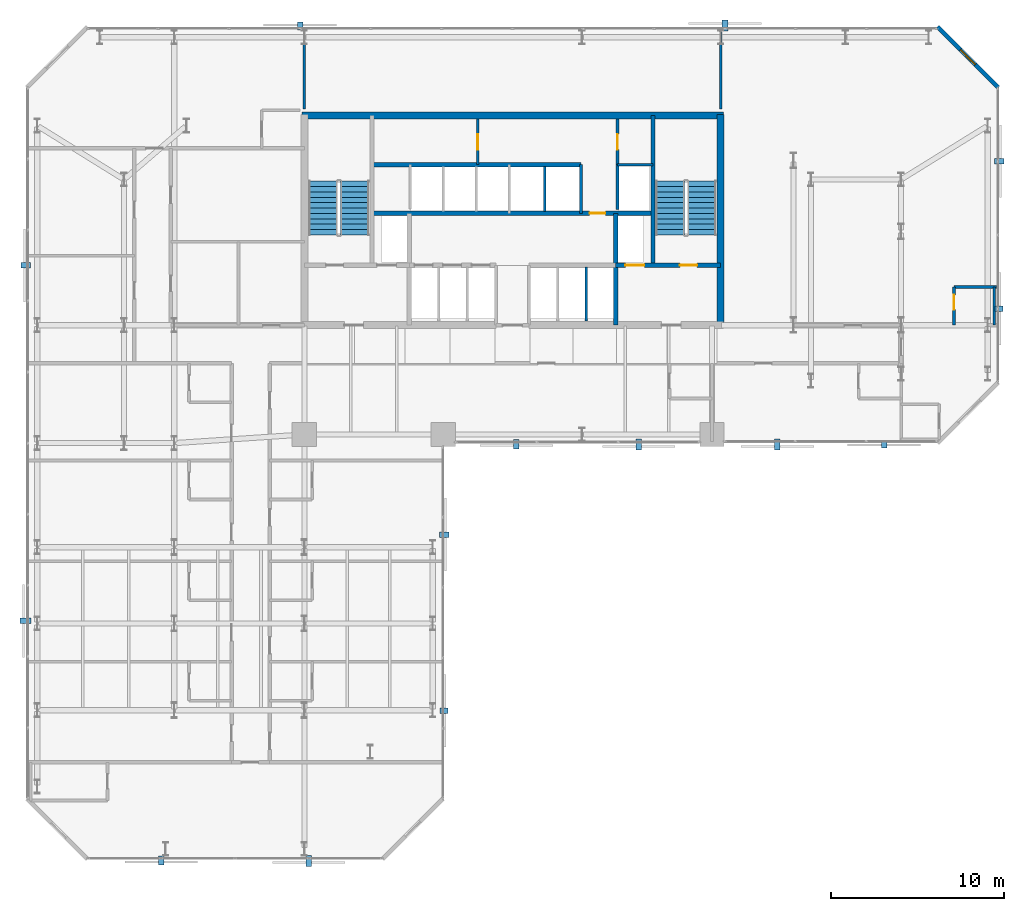
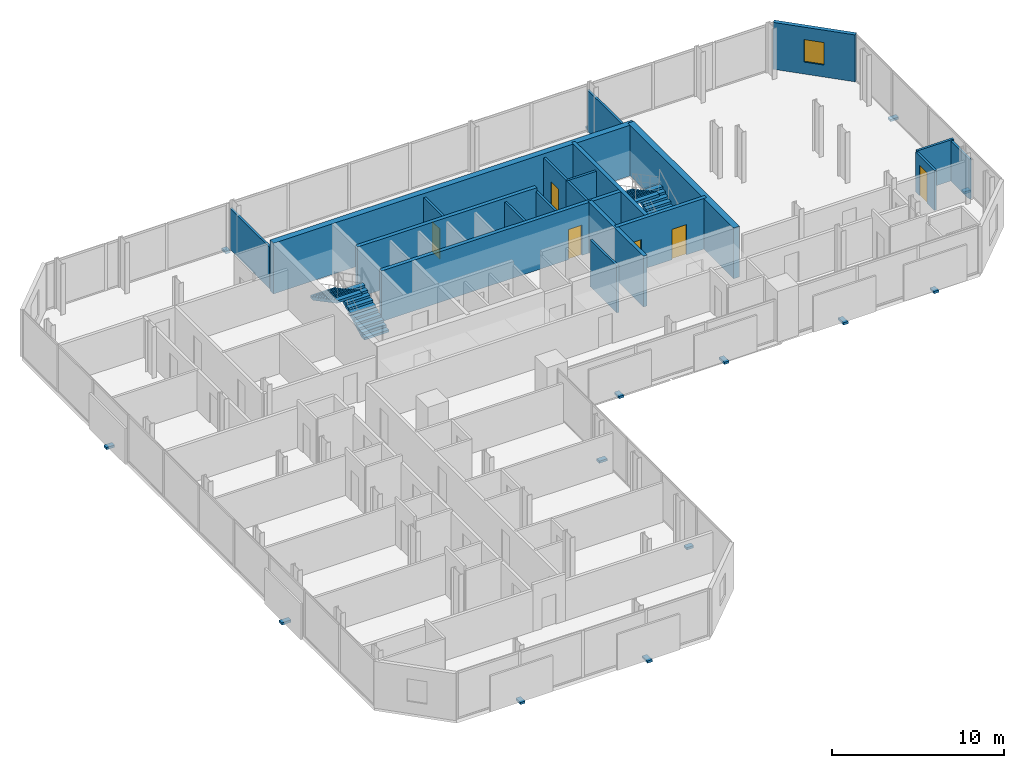
# One storey, part 30 of 32: 20 walls, 14 discrete accessories, 6 doors, 4 stair flights, 1 window, 7 openings, 2 elements without a shape of their own.
"""IFC4 building model written with IfcOpenShell, lengths in metres."""

from ifc_helpers import new_model, si_unit, direction, frame, frame_2d, origin, origin_2d, place, context, subcontext, project, spatial, polyline, rectangle, outline, extrude, material, layer, layer_set, type_object, element, fill, aggregate, save


model = new_model("IFC4")

# Units and contexts
model_context = context("Model", 3, precision=1e-05, world=origin(), true_north=direction((0.0, 1.0)))
body_context = subcontext(model_context, "Body", "Model", "MODEL_VIEW")
ifc_project = project(units=[si_unit("LENGTHUNIT", "METRE"), si_unit("AREAUNIT", "SQUARE_METRE"), si_unit("VOLUMEUNIT", "CUBIC_METRE"), si_unit("PLANEANGLEUNIT", "RADIAN"), si_unit("MASSUNIT", "GRAM", prefix="KILO")], contexts=[model_context])

# Site, building, storey
site_placement = place(None, origin())
site = spatial("IfcSite", under=ifc_project, at=site_placement, CompositionType="ELEMENT")
building_placement = place(site_placement, origin())
building = spatial("IfcBuilding", under=site, at=building_placement, Name="Catumbela Crestline Tower", CompositionType="ELEMENT")
storey_placement = place(building_placement, frame((0.0, 0.0, 69.0)))
storey = spatial("IfcBuildingStorey", under=building, at=storey_placement, Name="L17", CompositionType="ELEMENT", Elevation=69.0)

# Walls
ifc_material_1 = material(Name="Concrete C50/60", Category="concrete")
ifc_layer_1 = layer(ifc_material_1, 0.25, Name="Concrete C50/60")
ifc_layer_set_1 = layer_set([ifc_layer_1], Name="Concrete C50/60")
wall_type_1 = type_object("IfcWallType", Name="CW-250D", PredefinedType="SHEAR", material=ifc_layer_set_1)
wall_1_placement = place(storey_placement, frame((36.1, 34.25, 0.0), z_axis=(0.0, 0.0, 1.0), x_axis=(0.0, 1.0, 0.0)))
element("IfcWall", 1, at=wall_1_placement, inside=storey, type_object=wall_type_1, Name="L17 Structural Core Shear Wall EWEB", PredefinedType="SHEAR", context=body_context, shape_type="SweptSolid", body=[
    extrude(rectangle(XDim=8.65, YDim=0.25, at=frame_2d((4.325, 0.0))), origin(), (0.0, 0.0, 1.0), 3.6),
])
wall_2_placement = place(storey_placement, frame((33.95, 30.8, 0.0), z_axis=(0.0, 0.0, 1.0), x_axis=(0.0, 1.0, 0.0)))
element("IfcWall", 2, at=wall_2_placement, inside=storey, type_object=wall_type_1, Name="L17 Structural Core Shear Wall FFE", PredefinedType="SHEAR", context=body_context, shape_type="SweptSolid", body=[
    extrude(rectangle(XDim=6.45, YDim=0.25, at=frame_2d((3.225, 0.0))), origin(), (0.0, 0.0, 1.0), 3.6),
])

# Wall, openings, doors
wall_3_placement = place(storey_placement, frame((33.95, 34.25, 0.0), z_axis=(0.0, 0.0, 1.0), x_axis=(1.0, 0.0, 0.0)))
wall_3 = element("IfcWall", 3, at=wall_3_placement, inside=storey, type_object=wall_type_1, Name="L17 Structural Core Shear Wall ST2S", PredefinedType="SHEAR", context=body_context, shape_type="SweptSolid", body=[
    extrude(rectangle(XDim=6.05, YDim=0.25, at=frame_2d((3.025, 0.0))), origin(), (0.0, 0.0, 1.0), 3.6),
])
opening_1_placement = place(wall_3_placement, frame((3.7, 0.0, 0.0)))
opening_1 = element("IfcOpeningElement", 4, at=opening_1_placement, cuts=wall_3, Name="Opening DF9-100", PredefinedType="OPENING", context=body_context, shape_type="SweptSolid", body=[
    extrude(rectangle(XDim=1.0, YDim=2.15, at=frame_2d((0.5, 1.075))), frame((0.0, 0.135, 0.0), z_axis=(0.0, -1.0, 0.0), x_axis=(1.0, 0.0, 0.0)), (0.0, 0.0, 1.0), 0.27),
])
opening_2_placement = place(wall_3_placement, frame((0.55, 0.0, 0.0)))
opening_2 = element("IfcOpeningElement", 5, at=opening_2_placement, cuts=wall_3, Name="Opening LD-110", PredefinedType="OPENING", context=body_context, shape_type="SweptSolid", body=[
    extrude(rectangle(XDim=1.1, YDim=2.15, at=frame_2d((0.55, 1.075))), frame((0.0, 0.135, 0.0), z_axis=(0.0, -1.0, 0.0), x_axis=(1.0, 0.0, 0.0)), (0.0, 0.0, 1.0), 0.27),
])
ifc_material_2 = material(Name="Stainless steel EN 1.4401", Category="steel")
door_type_1 = type_object("IfcDoorType", Name="DF9-100", OperationType="NOTDEFINED", PredefinedType="DOOR", material=ifc_material_2)
door_1_placement = place(opening_1_placement, origin())
door_1 = element("IfcDoor", 6, at=door_1_placement, inside=storey, type_object=door_type_1, Name="L17 Interior Door DR-L17-ST02", OperationType="SINGLE_SWING_RIGHT", OverallHeight=2.15, OverallWidth=1.0, PredefinedType="DOOR", context=body_context, shape_type="SweptSolid", body=[
    extrude(rectangle(XDim=1.0, YDim=2.15, at=frame_2d((0.5, 1.075))), frame((0.0, 0.025, 0.0), z_axis=(0.0, -1.0, 0.0), x_axis=(1.0, 0.0, 0.0)), (0.0, 0.0, 1.0), 0.05),
])
fill(opening_1, door_1)
door_type_2 = type_object("IfcDoorType", Name="LD-110", OperationType="NOTDEFINED", PredefinedType="DOOR", material=ifc_material_2)
door_2_placement = place(opening_2_placement, origin())
door_2 = element("IfcDoor", 7, at=door_2_placement, inside=storey, type_object=door_type_2, Name="L17 Lift Landing Sliding Door FL-02", OperationType="DOUBLE_DOOR_SLIDING", OverallHeight=2.15, OverallWidth=1.1, PredefinedType="DOOR", context=body_context, shape_type="SweptSolid", body=[
    extrude(rectangle(XDim=1.1, YDim=2.15, at=frame_2d((0.55, 1.075))), frame((0.0, 0.025, 0.0), z_axis=(0.0, -1.0, 0.0), x_axis=(1.0, 0.0, 0.0)), (0.0, 0.0, 1.0), 0.05),
])
fill(opening_2, door_2)

# Wall, opening, door
wall_4_placement = place(storey_placement, frame((19.9, 37.25, 0.0), z_axis=(0.0, 0.0, 1.0), x_axis=(1.0, 0.0, 0.0)))
wall_4 = element("IfcWall", 8, at=wall_4_placement, inside=storey, type_object=wall_type_1, Name="L17 Structural Core Shear Wall LIFTN", PredefinedType="SHEAR", context=body_context, shape_type="SweptSolid", body=[
    extrude(rectangle(XDim=16.2, YDim=0.25, at=frame_2d((8.1, 0.0))), origin(), (0.0, 0.0, 1.0), 3.6),
])
opening_3_placement = place(wall_4_placement, frame((12.55, 0.0, 0.0)))
opening_3 = element("IfcOpeningElement", 9, at=opening_3_placement, cuts=wall_4, Name="Opening DF9-090", PredefinedType="OPENING", context=body_context, shape_type="SweptSolid", body=[
    extrude(rectangle(XDim=0.9, YDim=2.15, at=frame_2d((0.45, 1.075))), frame((0.0, 0.135, 0.0), z_axis=(0.0, -1.0, 0.0), x_axis=(1.0, 0.0, 0.0)), (0.0, 0.0, 1.0), 0.27),
])
door_type_3 = type_object("IfcDoorType", Name="DF9-090", OperationType="NOTDEFINED", PredefinedType="DOOR", material=ifc_material_2)
door_3_placement = place(opening_3_placement, origin())
door_3 = element("IfcDoor", 10, at=door_3_placement, inside=storey, type_object=door_type_3, Name="L17 Interior Door DR-L17-CPAS1", OperationType="SINGLE_SWING_LEFT", OverallHeight=2.15, OverallWidth=0.9, PredefinedType="DOOR", context=body_context, shape_type="SweptSolid", body=[
    extrude(rectangle(XDim=0.9, YDim=2.15, at=frame_2d((0.45, 1.075))), frame((0.0, 0.025, 0.0), z_axis=(0.0, -1.0, 0.0), x_axis=(1.0, 0.0, 0.0)), (0.0, 0.0, 1.0), 0.05),
])
fill(opening_3, door_3)

# Walls
wall_5_placement = place(storey_placement, frame((19.9, 40.05, 0.0), z_axis=(0.0, 0.0, 1.0), x_axis=(1.0, 0.0, 0.0)))
element("IfcWall", 11, at=wall_5_placement, inside=storey, type_object=wall_type_1, Name="L17 Structural Core Shear Wall COREN", PredefinedType="SHEAR", context=body_context, shape_type="SweptSolid", body=[
    extrude(rectangle(XDim=12.05, YDim=0.25, at=frame_2d((6.025, 0.0))), origin(), (0.0, 0.0, 1.0), 3.6),
])
ifc_material_3 = material(Name="Concrete C60/75", Category="concrete")
ifc_layer_2 = layer(ifc_material_3, 0.4, Name="Concrete C60/75")
ifc_layer_set_2 = layer_set([ifc_layer_2], Name="Concrete C60/75")
wall_type_2 = type_object("IfcWallType", Name="CW-400A", PredefinedType="SHEAR", material=ifc_layer_set_2)
wall_6_placement = place(storey_placement, frame((40.0, 30.65, 0.0), z_axis=(0.0, 0.0, 1.0), x_axis=(0.0, 1.0, 0.0)))
element("IfcWall", 12, at=wall_6_placement, inside=storey, type_object=wall_type_2, Name="L17 Structural Core Shear Wall E", PredefinedType="SHEAR", context=body_context, shape_type="SweptSolid", body=[
    extrude(rectangle(XDim=12.3, YDim=0.4, at=frame_2d((6.15, 0.0))), origin(), (0.0, 0.0, 1.0), 3.6),
])
wall_7_placement = place(storey_placement, frame((15.85, 42.9, 0.0), z_axis=(0.0, 0.0, 1.0), x_axis=(1.0, 0.0, 0.0)))
element("IfcWall", 13, at=wall_7_placement, inside=storey, type_object=wall_type_2, Name="L17 Structural Core Shear Wall N", PredefinedType="SHEAR", context=body_context, shape_type="SweptSolid", body=[
    extrude(rectangle(XDim=24.3, YDim=0.4, at=frame_2d((12.15, 0.0))), origin(), (0.0, 0.0, 1.0), 3.6),
])

# Wall, opening, window
ifc_material_4 = material(Name="Angolan grey-ochre granite", Category="masonry")
ifc_layer_3 = layer(ifc_material_4, 0.25, Name="Angolan grey-ochre granite")
ifc_layer_set_3 = layer_set([ifc_layer_3], Name="Angolan grey-ochre granite")
wall_type_3 = type_object("IfcWallType", Name="WE-250", PredefinedType="STANDARD", material=ifc_layer_set_3)
wall_8_placement = place(storey_placement, frame((56.0, 44.5, 0.0), z_axis=(0.0, 0.0, 1.0), x_axis=(-0.707106781187, 0.707106781187, 0.0)))
wall_8 = element("IfcWall", 14, at=wall_8_placement, inside=storey, type_object=wall_type_3, Name="L17 Granite Punched Window Wall 6-1", PredefinedType="STANDARD", context=body_context, shape_type="SweptSolid", body=[
    extrude(rectangle(XDim=4.9497, YDim=0.25, at=frame_2d((2.4748, 0.0))), origin(), (0.0, 0.0, 1.0), 3.33),
])
opening_4_placement = place(wall_8_placement, frame((1.8748, 0.0, 0.85)))
opening_4 = element("IfcOpeningElement", 15, at=opening_4_placement, cuts=wall_8, Name="Opening WN-02", PredefinedType="OPENING", context=body_context, shape_type="SweptSolid", body=[
    extrude(rectangle(XDim=1.2, YDim=1.6, at=frame_2d((0.6, 0.8))), frame((0.0, 0.135, 0.0), z_axis=(0.0, -1.0, 0.0), x_axis=(1.0, 0.0, 0.0)), (0.0, 0.0, 1.0), 0.27),
])
ifc_material_5 = material(Name="Low-E laminated solar-control double glazing", Category="glass")
window_type = type_object("IfcWindowType", Name="WO-1200", PartitioningType="SINGLE_PANEL", PredefinedType="WINDOW", material=ifc_material_5)
window_placement = place(opening_4_placement, origin())
window = element("IfcWindow", 16, at=window_placement, inside=storey, type_object=window_type, Name="L17 Facade Vision Window 110", OverallHeight=1.6, OverallWidth=1.2, PartitioningType="SINGLE_PANEL", PredefinedType="WINDOW", context=body_context, shape_type="SweptSolid", body=[
    extrude(rectangle(XDim=1.2, YDim=1.6, at=frame_2d((0.6, 0.8))), frame((0.0, 0.03, 0.0), z_axis=(0.0, -1.0, 0.0), x_axis=(1.0, 0.0, 0.0)), (0.0, 0.0, 1.0), 0.06),
])
fill(opening_4, window)

# Wall
ifc_material_6 = material(Name="Acoustic gypsum and mineral-wool partition")
ifc_layer_4 = layer(ifc_material_6, 0.15, Name="Acoustic gypsum and mineral-wool partition")
ifc_layer_set_4 = layer_set([ifc_layer_4], Name="Acoustic gypsum and mineral-wool partition")
wall_type_4 = type_object("IfcWallType", Name="WP-150", PredefinedType="PARTITIONING", material=ifc_layer_set_4)
wall_9_placement = place(storey_placement, frame((34.05, 40.05, 0.0), z_axis=(0.0, 0.0, 1.0), x_axis=(1.0, 0.0, 0.0)))
element("IfcWall", 17, at=wall_9_placement, inside=storey, type_object=wall_type_4, Name="L17 Interior Partition PW-L17-CR-ES", PredefinedType="PARTITIONING", context=body_context, shape_type="SweptSolid", body=[
    extrude(rectangle(XDim=2.05, YDim=0.15, at=frame_2d((1.025, 0.0))), origin(), (0.0, 0.0, 1.0), 3.33),
])

# Wall, opening, door
wall_10_placement = place(storey_placement, frame((34.05, 40.05, 0.0), z_axis=(0.0, 0.0, 1.0), x_axis=(0.0, 1.0, 0.0)))
wall_10 = element("IfcWall", 18, at=wall_10_placement, inside=storey, type_object=wall_type_4, Name="L17 Interior Partition PW-L17-CR-EW", PredefinedType="PARTITIONING", context=body_context, shape_type="SweptSolid", body=[
    extrude(rectangle(XDim=2.63, YDim=0.15, at=frame_2d((1.315, 0.0))), origin(), (0.0, 0.0, 1.0), 3.33),
])
opening_5_placement = place(wall_10_placement, frame((0.865, 0.0, 0.0)))
opening_5 = element("IfcOpeningElement", 19, at=opening_5_placement, cuts=wall_10, Name="Opening DF9-090", PredefinedType="OPENING", context=body_context, shape_type="SweptSolid", body=[
    extrude(rectangle(XDim=0.9, YDim=2.15, at=frame_2d((0.45, 1.075))), frame((0.0, 0.085, 0.0), z_axis=(0.0, -1.0, 0.0), x_axis=(1.0, 0.0, 0.0)), (0.0, 0.0, 1.0), 0.17),
])
door_4_placement = place(opening_5_placement, origin())
door_4 = element("IfcDoor", 20, at=door_4_placement, inside=storey, type_object=door_type_3, Name="L17 Interior Door DR-L17-CREAST", OperationType="SINGLE_SWING_RIGHT", OverallHeight=2.15, OverallWidth=0.9, PredefinedType="DOOR", context=body_context, shape_type="SweptSolid", body=[
    extrude(rectangle(XDim=0.9, YDim=2.15, at=frame_2d((0.45, 1.075))), frame((0.0, 0.025, 0.0), z_axis=(0.0, -1.0, 0.0), x_axis=(1.0, 0.0, 0.0)), (0.0, 0.0, 1.0), 0.05),
])
fill(opening_5, door_4)

wall_11_placement = place(storey_placement, frame((26.0, 40.05, 0.0), z_axis=(0.0, 0.0, 1.0), x_axis=(0.0, 1.0, 0.0)))
wall_11 = element("IfcWall", 21, at=wall_11_placement, inside=storey, type_object=wall_type_4, Name="L17 Interior Partition PW-L17-CR-WW", PredefinedType="PARTITIONING", context=body_context, shape_type="SweptSolid", body=[
    extrude(rectangle(XDim=2.63, YDim=0.15, at=frame_2d((1.315, 0.0))), origin(), (0.0, 0.0, 1.0), 3.33),
])
opening_6_placement = place(wall_11_placement, frame((0.865, 0.0, 0.0)))
opening_6 = element("IfcOpeningElement", 22, at=opening_6_placement, cuts=wall_11, Name="Opening DF9-090", PredefinedType="OPENING", context=body_context, shape_type="SweptSolid", body=[
    extrude(rectangle(XDim=0.9, YDim=2.15, at=frame_2d((0.45, 1.075))), frame((0.0, 0.085, 0.0), z_axis=(0.0, -1.0, 0.0), x_axis=(1.0, 0.0, 0.0)), (0.0, 0.0, 1.0), 0.17),
])
door_5_placement = place(opening_6_placement, origin())
door_5 = element("IfcDoor", 23, at=door_5_placement, inside=storey, type_object=door_type_3, Name="L17 Interior Door DR-L17-CRWEST", OperationType="SINGLE_SWING_LEFT", OverallHeight=2.15, OverallWidth=0.9, PredefinedType="DOOR", context=body_context, shape_type="SweptSolid", body=[
    extrude(rectangle(XDim=0.9, YDim=2.15, at=frame_2d((0.45, 1.075))), frame((0.0, 0.025, 0.0), z_axis=(0.0, -1.0, 0.0), x_axis=(1.0, 0.0, 0.0)), (0.0, 0.0, 1.0), 0.05),
])
fill(opening_6, door_5)

# Walls
for number, where, z_axis, x_axis, name in (
    (24, (16.0, 43.27, 0.0), (0.0, 0.0, 1.0), (0.0, 1.0, 0.0), "L17 Interior Partition PW-L17-NCF-W"),
    (25, (40.0, 43.27, 0.0), (0.0, 0.0, 1.0), (0.0, 1.0, 0.0), "L17 Interior Partition PW-L17-NCF-E"),
):
    element("IfcWall", number, at=place(storey_placement, frame(where, z_axis=z_axis, x_axis=x_axis)), inside=storey, type_object=wall_type_4, Name=name, PredefinedType="PARTITIONING", context=body_context, shape_type="SweptSolid", body=[
        extrude(rectangle(XDim=4.63, YDim=0.15, at=frame_2d((2.315, 0.0))), origin(), (0.0, 0.0, 1.0), 2.92),
    ])
wall_12_placement = place(storey_placement, frame((53.45, 33.0, 0.0), z_axis=(0.0, 0.0, 1.0), x_axis=(1.0, 0.0, 0.0)))
element("IfcWall", 26, at=wall_12_placement, inside=storey, type_object=wall_type_4, Name="L17 Interior Partition PW-L17-NES-BHW", PredefinedType="PARTITIONING", context=body_context, shape_type="SweptSolid", body=[
    extrude(rectangle(XDim=2.45, YDim=0.15, at=frame_2d((1.225, 0.0))), origin(), (0.0, 0.0, 1.0), 2.92),
])

# Wall, opening, door
wall_13_placement = place(storey_placement, frame((53.45, 30.8, 0.0), z_axis=(0.0, 0.0, 1.0), x_axis=(0.0, 1.0, 0.0)))
wall_13 = element("IfcWall", 27, at=wall_13_placement, inside=storey, type_object=wall_type_4, Name="L17 Interior Partition PW-L17-NES-BWW", PredefinedType="PARTITIONING", context=body_context, shape_type="SweptSolid", body=[
    extrude(rectangle(XDim=2.2, YDim=0.15, at=frame_2d((1.1, 0.0))), origin(), (0.0, 0.0, 1.0), 2.83),
])
opening_7_placement = place(wall_13_placement, frame((0.8925, 0.0, 0.0)))
opening_7 = element("IfcOpeningElement", 28, at=opening_7_placement, cuts=wall_13, Name="Opening DI-085", PredefinedType="OPENING", context=body_context, shape_type="SweptSolid", body=[
    extrude(rectangle(XDim=0.85, YDim=2.15, at=frame_2d((0.425, 1.075))), frame((0.0, 0.085, 0.0), z_axis=(0.0, -1.0, 0.0), x_axis=(1.0, 0.0, 0.0)), (0.0, 0.0, 1.0), 0.17),
])
ifc_material_7 = material(Name="Aluminium alloy AW-6060-T66", Category="aluminium")
door_type_4 = type_object("IfcDoorType", Name="DI-085", OperationType="NOTDEFINED", PredefinedType="DOOR", material=ifc_material_7)
door_6_placement = place(opening_7_placement, origin())
door_6 = element("IfcDoor", 29, at=door_6_placement, inside=storey, type_object=door_type_4, Name="L17 Interior Door DR-L17-NES-BTH", OperationType="SINGLE_SWING_RIGHT", OverallHeight=2.15, OverallWidth=0.85, PredefinedType="DOOR", context=body_context, shape_type="SweptSolid", body=[
    extrude(rectangle(XDim=0.85, YDim=2.15, at=frame_2d((0.425, 1.075))), frame((0.0, 0.025, 0.0), z_axis=(0.0, -1.0, 0.0), x_axis=(1.0, 0.0, 0.0)), (0.0, 0.0, 1.0), 0.05),
])
fill(opening_7, door_6)

# Walls
wall_14_placement = place(storey_placement, frame((55.78, 33.0, 0.0), z_axis=(0.0, 0.0, 1.0), x_axis=(0.0, -1.0, 0.0)))
element("IfcWall", 30, at=wall_14_placement, inside=storey, type_object=wall_type_4, Name="L17 Interior Partition PW-L17-NES-BCL-2", PredefinedType="PARTITIONING", context=body_context, shape_type="SweptSolid", body=[
    extrude(rectangle(XDim=2.2, YDim=0.15, at=frame_2d((1.1, 0.0))), origin(), (0.0, 0.0, 1.0), 2.83),
])
ifc_layer_5 = layer(ifc_material_6, 0.15, Name="Acoustic gypsum and mineral-wool partition")
ifc_layer_set_5 = layer_set([ifc_layer_5], Name="Acoustic gypsum and mineral-wool partition")
wall_type_5 = type_object("IfcWallType", Name="WS-150", PredefinedType="PLUMBINGWALL", material=ifc_layer_set_5)
wall_15_placement = place(storey_placement, frame((32.25, 31.05, 0.0), z_axis=(0.0, 0.0, 1.0), x_axis=(0.0, 1.0, 0.0)))
element("IfcWall", 31, at=wall_15_placement, inside=storey, type_object=wall_type_5, Name="L17 Interior Partition PW-L17-SHM2", PredefinedType="PLUMBINGWALL", context=body_context, shape_type="SweptSolid", body=[
    extrude(rectangle(XDim=3.1, YDim=0.15, at=frame_2d((1.55, 0.0))), origin(), (0.0, 0.0, 1.0), 3.33),
])
wall_16_placement = place(storey_placement, frame((31.95, 37.25, 0.0), z_axis=(0.0, 0.0, 1.0), x_axis=(0.0, 1.0, 0.0)))
element("IfcWall", 32, at=wall_16_placement, inside=storey, type_object=wall_type_5, Name="L17 Interior Partition PW-L17-SHEX2E", PredefinedType="PLUMBINGWALL", context=body_context, shape_type="SweptSolid", body=[
    extrude(rectangle(XDim=2.8, YDim=0.15, at=frame_2d((1.4, 0.0))), origin(), (0.0, 0.0, 1.0), 3.33),
])
wall_17_placement = place(storey_placement, frame((29.85, 37.35, 0.0), z_axis=(0.0, 0.0, 1.0), x_axis=(0.0, 1.0, 0.0)))
element("IfcWall", 33, at=wall_17_placement, inside=storey, type_object=wall_type_5, Name="L17 Interior Partition PW-L17-SHEX1", PredefinedType="PLUMBINGWALL", context=body_context, shape_type="SweptSolid", body=[
    extrude(rectangle(XDim=2.6, YDim=0.15, at=frame_2d((1.3, 0.0))), origin(), (0.0, 0.0, 1.0), 3.33),
])
wall_18_placement = place(storey_placement, frame((34.05, 37.4734, 0.0), z_axis=(0.0, 0.0, 1.0), x_axis=(0.0, 1.0, 0.0)))
element("IfcWall", 34, at=wall_18_placement, inside=storey, type_object=wall_type_5, Name="L17 Interior Partition PW-L17-RISW", PredefinedType="PLUMBINGWALL", context=body_context, shape_type="SweptSolid", body=[
    extrude(rectangle(XDim=2.5766, YDim=0.15, at=frame_2d((1.2883, 0.0))), origin(), (0.0, 0.0, 1.0), 3.33),
])

# Stair, stair flights
ifc_material_8 = material(Name="Concrete C45/55", Category="concrete")
stair_type = type_object("IfcStairType", Name="ST-DLG", PredefinedType="HALF_TURN_STAIR", material=ifc_material_8)
stair_1_placement = place(storey_placement, origin())
stair_1 = element("IfcStair", 35, at=stair_1_placement, inside=storey, type_object=stair_type, Name="L17 West Core Pressurised Exit Stair ST-01", PredefinedType="HALF_TURN_STAIR")
stair_flight_type = type_object("IfcStairFlightType", Name="SF-1636", PredefinedType="STRAIGHT", material=ifc_material_8)
stair_flight_1_placement = place(storey_placement, frame((18.92, 36.0, 0.0), z_axis=(0.0, 0.0, 1.0), x_axis=(0.0, 1.0, 0.0)))
stair_flight_1 = element("IfcStairFlight", 36, at=stair_flight_1_placement, type_object=stair_flight_type, Name="ST-01 flight 1", NumberOfRisers=11, NumberOfTreads=10, PredefinedType="STRAIGHT", RiserHeight=0.163636364, TreadLength=0.31, context=body_context, shape_type="SweptSolid", body=[
    extrude(outline(polyline([(0.0, 0.0), (0.0, 0.1636), (0.31, 0.1636), (0.31, 0.3273), (0.62, 0.3273), (0.62, 0.4909), (0.93, 0.4909), (0.93, 0.6545), (1.24, 0.6545), (1.24, 0.8182), (1.55, 0.8182), (1.55, 0.9818), (1.86, 0.9818), (1.86, 1.1455), (2.17, 1.1455), (2.17, 1.3091), (2.48, 1.3091), (2.48, 1.4727), (2.79, 1.4727), (2.79, 1.6364), (3.1, 1.6364), (3.1, 1.8), (3.1, 1.4554), (0.3427, 0.0), (0.0, 0.0)])), frame((0.0, 0.83, 0.0), z_axis=(0.0, -1.0, 0.0), x_axis=(1.0, 0.0, 0.0)), (0.0, 0.0, 1.0), 1.66),
])
stair_flight_2_placement = place(storey_placement, frame((17.08, 39.1, 1.8), z_axis=(0.0, 0.0, 1.0), x_axis=(0.0, -1.0, 0.0)))
stair_flight_2 = element("IfcStairFlight", 37, at=stair_flight_2_placement, type_object=stair_flight_type, Name="ST-01 flight 2", NumberOfRisers=11, NumberOfTreads=10, PredefinedType="STRAIGHT", RiserHeight=0.163636364, TreadLength=0.31, context=body_context, shape_type="SweptSolid", body=[
    extrude(outline(polyline([(0.0, 0.0), (0.0, 0.1636), (0.31, 0.1636), (0.31, 0.3273), (0.62, 0.3273), (0.62, 0.4909), (0.93, 0.4909), (0.93, 0.6545), (1.24, 0.6545), (1.24, 0.8182), (1.55, 0.8182), (1.55, 0.9818), (1.86, 0.9818), (1.86, 1.1455), (2.17, 1.1455), (2.17, 1.3091), (2.48, 1.3091), (2.48, 1.4727), (2.79, 1.4727), (2.79, 1.6364), (3.1, 1.6364), (3.1, 1.8), (3.1, 1.4554), (0.3427, 0.0), (0.0, 0.0)])), frame((0.0, 0.83, 0.0), z_axis=(0.0, -1.0, 0.0), x_axis=(1.0, 0.0, 0.0)), (0.0, 0.0, 1.0), 1.66),
])
aggregate(stair_1, [stair_flight_1, stair_flight_2])

stair_2_placement = place(storey_placement, origin())
stair_2 = element("IfcStair", 38, at=stair_2_placement, inside=storey, type_object=stair_type, Name="L17 East Core Pressurised Exit Stair ST-02", PredefinedType="HALF_TURN_STAIR")
stair_flight_3_placement = place(storey_placement, frame((38.92, 36.0, 0.0), z_axis=(0.0, 0.0, 1.0), x_axis=(0.0, 1.0, 0.0)))
stair_flight_3 = element("IfcStairFlight", 39, at=stair_flight_3_placement, type_object=stair_flight_type, Name="ST-02 flight 1", NumberOfRisers=11, NumberOfTreads=10, PredefinedType="STRAIGHT", RiserHeight=0.163636364, TreadLength=0.31, context=body_context, shape_type="SweptSolid", body=[
    extrude(outline(polyline([(0.0, 0.0), (0.0, 0.1636), (0.31, 0.1636), (0.31, 0.3273), (0.62, 0.3273), (0.62, 0.4909), (0.93, 0.4909), (0.93, 0.6545), (1.24, 0.6545), (1.24, 0.8182), (1.55, 0.8182), (1.55, 0.9818), (1.86, 0.9818), (1.86, 1.1455), (2.17, 1.1455), (2.17, 1.3091), (2.48, 1.3091), (2.48, 1.4727), (2.79, 1.4727), (2.79, 1.6364), (3.1, 1.6364), (3.1, 1.8), (3.1, 1.4554), (0.3427, 0.0), (0.0, 0.0)])), frame((0.0, 0.83, 0.0), z_axis=(0.0, -1.0, 0.0), x_axis=(1.0, 0.0, 0.0)), (0.0, 0.0, 1.0), 1.66),
])
stair_flight_4_placement = place(storey_placement, frame((37.08, 39.1, 1.8), z_axis=(0.0, 0.0, 1.0), x_axis=(0.0, -1.0, 0.0)))
stair_flight_4 = element("IfcStairFlight", 40, at=stair_flight_4_placement, type_object=stair_flight_type, Name="ST-02 flight 2", NumberOfRisers=11, NumberOfTreads=10, PredefinedType="STRAIGHT", RiserHeight=0.163636364, TreadLength=0.31, context=body_context, shape_type="SweptSolid", body=[
    extrude(outline(polyline([(0.0, 0.0), (0.0, 0.1636), (0.31, 0.1636), (0.31, 0.3273), (0.62, 0.3273), (0.62, 0.4909), (0.93, 0.4909), (0.93, 0.6545), (1.24, 0.6545), (1.24, 0.8182), (1.55, 0.8182), (1.55, 0.9818), (1.86, 0.9818), (1.86, 1.1455), (2.17, 1.1455), (2.17, 1.3091), (2.48, 1.3091), (2.48, 1.4727), (2.79, 1.4727), (2.79, 1.6364), (3.1, 1.6364), (3.1, 1.8), (3.1, 1.4554), (0.3427, 0.0), (0.0, 0.0)])), frame((0.0, 0.83, 0.0), z_axis=(0.0, -1.0, 0.0), x_axis=(1.0, 0.0, 0.0)), (0.0, 0.0, 1.0), 1.66),
])
aggregate(stair_2, [stair_flight_3, stair_flight_4])

# Discrete accessories
discrete_accessory_type = type_object("IfcDiscreteAccessoryType", Name="BK-SS1", PredefinedType="BRACKET", material=ifc_material_2)
discrete_accessory_1_placement = place(storey_placement, frame((7.75, -0.065, -0.18), z_axis=(0.0, 0.0, 1.0), x_axis=(1.0, 0.0, 0.0)))
element("IfcDiscreteAccessory", 41, at=discrete_accessory_1_placement, inside=storey, type_object=discrete_accessory_type, Name="L17 Solar Screen Stainless Bracket 169", PredefinedType="BRACKET", context=body_context, shape_type="SweptSolid", body=[
    extrude(rectangle(XDim=0.32, YDim=0.54, at=origin_2d()), origin(), (0.0, 0.0, 1.0), 0.16),
])
discrete_accessory_2_placement = place(storey_placement, frame((16.25, -0.085, -0.18), z_axis=(0.0, 0.0, 1.0), x_axis=(1.0, 0.0, 0.0)))
element("IfcDiscreteAccessory", 42, at=discrete_accessory_2_placement, inside=storey, type_object=discrete_accessory_type, Name="L17 Solar Screen Stainless Bracket 170", PredefinedType="BRACKET", context=body_context, shape_type="SweptSolid", body=[
    extrude(rectangle(XDim=0.32, YDim=0.62, at=origin_2d()), origin(), (0.0, 0.0, 1.0), 0.16),
])
discrete_accessory_3_placement = place(storey_placement, frame((24.045, 8.575, -0.18), z_axis=(0.0, 0.0, 1.0), x_axis=(0.0, 1.0, 0.0)))
element("IfcDiscreteAccessory", 43, at=discrete_accessory_3_placement, inside=storey, type_object=discrete_accessory_type, Name="L17 Solar Screen Stainless Bracket 171", PredefinedType="BRACKET", context=body_context, shape_type="SweptSolid", body=[
    extrude(rectangle(XDim=0.32, YDim=0.46, at=origin_2d()), origin(), (0.0, 0.0, 1.0), 0.16),
])
for number, where, z_axis, x_axis, name in (
    (44, (24.065, 18.725, -0.18), (0.0, 0.0, 1.0), (0.0, 1.0, 0.0), "L17 Solar Screen Stainless Bracket 172"),
    (45, (28.225, 23.935, -0.18), (0.0, 0.0, 1.0), (1.0, 0.0, 0.0), "L17 Solar Screen Stainless Bracket 173"),
):
    element("IfcDiscreteAccessory", number, at=place(storey_placement, frame(where, z_axis=z_axis, x_axis=x_axis)), inside=storey, type_object=discrete_accessory_type, Name=name, PredefinedType="BRACKET", context=body_context, shape_type="SweptSolid", body=[
        extrude(rectangle(XDim=0.32, YDim=0.54, at=origin_2d()), origin(), (0.0, 0.0, 1.0), 0.16),
    ])
for number, where, z_axis, x_axis, name in (
    (46, (35.275, 23.915, -0.18), (0.0, 0.0, 1.0), (1.0, 0.0, 0.0), "L17 Solar Screen Stainless Bracket 174"),
    (47, (43.275, 23.915, -0.18), (0.0, 0.0, 1.0), (1.0, 0.0, 0.0), "L17 Solar Screen Stainless Bracket 175"),
):
    element("IfcDiscreteAccessory", number, at=place(storey_placement, frame(where, z_axis=z_axis, x_axis=x_axis)), inside=storey, type_object=discrete_accessory_type, Name=name, PredefinedType="BRACKET", context=body_context, shape_type="SweptSolid", body=[
        extrude(rectangle(XDim=0.32, YDim=0.62, at=origin_2d()), origin(), (0.0, 0.0, 1.0), 0.16),
    ])
for number, where, z_axis, x_axis, name in (
    (48, (49.425, 23.955, -0.18), (0.0, 0.0, 1.0), (1.0, 0.0, 0.0), "L17 Solar Screen Stainless Bracket 176"),
    (49, (56.045, 31.75, -0.18), (0.0, 0.0, 1.0), (0.0, 1.0, 0.0), "L17 Solar Screen Stainless Bracket 177"),
):
    element("IfcDiscreteAccessory", number, at=place(storey_placement, frame(where, z_axis=z_axis, x_axis=x_axis)), inside=storey, type_object=discrete_accessory_type, Name=name, PredefinedType="BRACKET", context=body_context, shape_type="SweptSolid", body=[
        extrude(rectangle(XDim=0.32, YDim=0.46, at=origin_2d()), origin(), (0.0, 0.0, 1.0), 0.16),
    ])
discrete_accessory_4_placement = place(storey_placement, frame((56.065, 40.25, -0.18), z_axis=(0.0, 0.0, 1.0), x_axis=(0.0, 1.0, 0.0)))
element("IfcDiscreteAccessory", 50, at=discrete_accessory_4_placement, inside=storey, type_object=discrete_accessory_type, Name="L17 Solar Screen Stainless Bracket 178", PredefinedType="BRACKET", context=body_context, shape_type="SweptSolid", body=[
    extrude(rectangle(XDim=0.32, YDim=0.54, at=origin_2d()), origin(), (0.0, 0.0, 1.0), 0.16),
])
discrete_accessory_5_placement = place(storey_placement, frame((40.25, 48.085, -0.18), z_axis=(0.0, 0.0, 1.0), x_axis=(-1.0, 0.0, 0.0)))
element("IfcDiscreteAccessory", 51, at=discrete_accessory_5_placement, inside=storey, type_object=discrete_accessory_type, Name="L17 Solar Screen Stainless Bracket 179", PredefinedType="BRACKET", context=body_context, shape_type="SweptSolid", body=[
    extrude(rectangle(XDim=0.32, YDim=0.62, at=origin_2d()), origin(), (0.0, 0.0, 1.0), 0.16),
])
discrete_accessory_6_placement = place(storey_placement, frame((15.75, 48.045, -0.18), z_axis=(0.0, 0.0, 1.0), x_axis=(-1.0, 0.0, 0.0)))
element("IfcDiscreteAccessory", 52, at=discrete_accessory_6_placement, inside=storey, type_object=discrete_accessory_type, Name="L17 Solar Screen Stainless Bracket 180", PredefinedType="BRACKET", context=body_context, shape_type="SweptSolid", body=[
    extrude(rectangle(XDim=0.32, YDim=0.46, at=origin_2d()), origin(), (0.0, 0.0, 1.0), 0.16),
])
discrete_accessory_7_placement = place(storey_placement, frame((-0.065, 34.25, -0.18), z_axis=(0.0, 0.0, 1.0), x_axis=(0.0, -1.0, 0.0)))
element("IfcDiscreteAccessory", 53, at=discrete_accessory_7_placement, inside=storey, type_object=discrete_accessory_type, Name="L17 Solar Screen Stainless Bracket 181", PredefinedType="BRACKET", context=body_context, shape_type="SweptSolid", body=[
    extrude(rectangle(XDim=0.32, YDim=0.54, at=origin_2d()), origin(), (0.0, 0.0, 1.0), 0.16),
])
discrete_accessory_8_placement = place(storey_placement, frame((-0.085, 13.75, -0.18), z_axis=(0.0, 0.0, 1.0), x_axis=(0.0, -1.0, 0.0)))
element("IfcDiscreteAccessory", 54, at=discrete_accessory_8_placement, inside=storey, type_object=discrete_accessory_type, Name="L17 Solar Screen Stainless Bracket 182", PredefinedType="BRACKET", context=body_context, shape_type="SweptSolid", body=[
    extrude(rectangle(XDim=0.32, YDim=0.62, at=origin_2d()), origin(), (0.0, 0.0, 1.0), 0.16),
])

save(model, "model.ifc")
